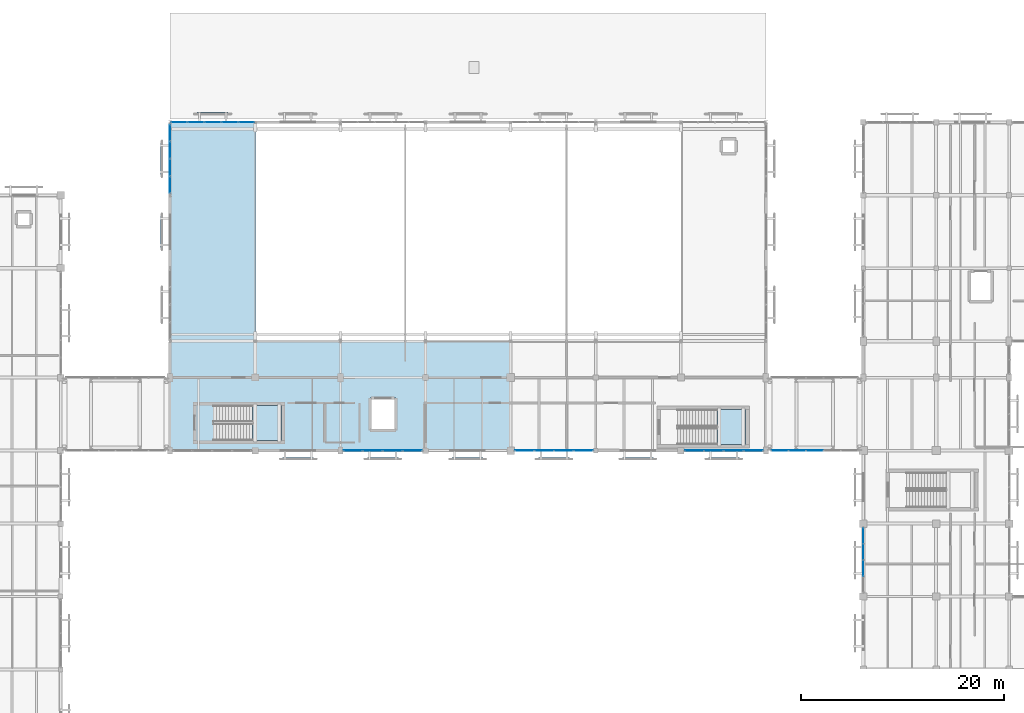
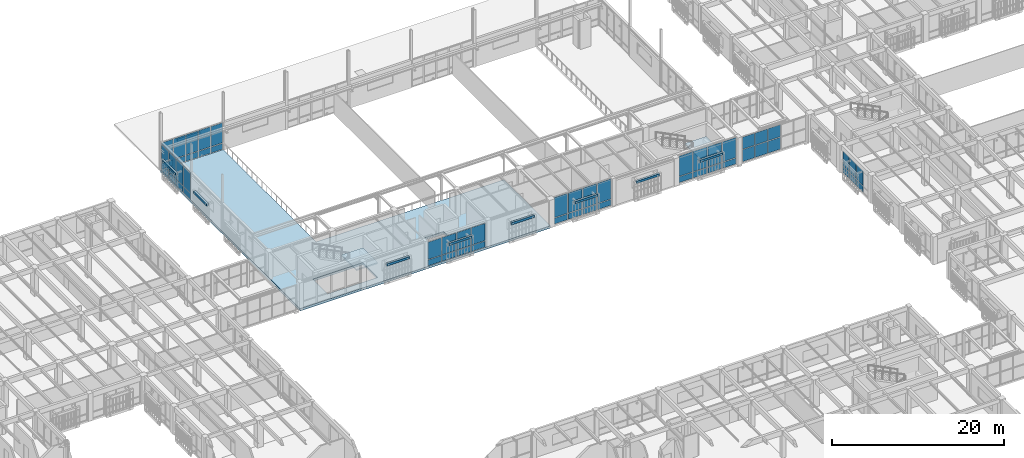
# One storey, part 122 of 170: 63 plates, 3 slabs, 9 elements without a shape of their own.
"""IFC4 building model written with IfcOpenShell, lengths in metres."""

from ifc_helpers import new_model, si_unit, direction, frame, origin, origin_2d, place, context, subcontext, project, spatial, polyline, rectangle, outline, extrude, material, layer, layer_set, type_object, element, aggregate, save


model = new_model("IFC4")

# Units and contexts
model_context = context("Model", 3, precision=1e-05, world=origin(), true_north=direction((0.0, 1.0)))
body_context = subcontext(model_context, "Body", "Model", "MODEL_VIEW")
ifc_project = project(units=[si_unit("LENGTHUNIT", "METRE"), si_unit("AREAUNIT", "SQUARE_METRE"), si_unit("VOLUMEUNIT", "CUBIC_METRE"), si_unit("PLANEANGLEUNIT", "RADIAN"), si_unit("MASSUNIT", "GRAM", prefix="KILO")], contexts=[model_context])

# Site, building, storey
site_placement = place(None, origin())
site = spatial("IfcSite", under=ifc_project, at=site_placement, CompositionType="ELEMENT")
building_placement = place(site_placement, origin())
building = spatial("IfcBuilding", under=site, at=building_placement, Name="Mazaris Harbour Polytechnic", CompositionType="ELEMENT")
storey_placement = place(building_placement, frame((0.0, 0.0, 5.39990234375)))
storey = spatial("IfcBuildingStorey", under=building, at=storey_placement, Name="L01", CompositionType="ELEMENT", Elevation=5.39990234375)

# Curtain wall, plates
ifc_material_1 = material(Name="Anodised Bronze Aluminium and Low-E Glass", Category="aluminium")
ifc_layer_1 = layer(ifc_material_1, 0.14990234375, Name="Anodised Bronze Aluminium and Low-E Glass")
ifc_layer_set_1 = layer_set([ifc_layer_1], Name="Anodised Bronze Aluminium and Low-E Glass")
curtain_wall_type_1 = type_object("IfcCurtainWallType", Name="Workshop Clerestory Curtain Wall", PredefinedType="NOTDEFINED", material=ifc_layer_set_1)
curtain_wall_1_placement = place(storey_placement, origin())
curtain_wall_1 = element("IfcCurtainWall", 1, at=curtain_wall_1_placement, inside=storey, type_object=curtain_wall_type_1, Name="V1 L01 Curtain Wall 14", PredefinedType="NOTDEFINED")
ifc_material_2 = material(Name="Acoustic Low-E Double Glazing", Category="glass")
ifc_layer_2 = layer(ifc_material_2, 0.033935546875, Name="Acoustic Low-E Double Glazing")
ifc_layer_set_2 = layer_set([ifc_layer_2], Name="Acoustic Low-E Double Glazing")
plate_type_1 = type_object("IfcPlateType", Name="Acoustic Laminated Glass Panel 34", PredefinedType="CURTAIN_PANEL", material=ifc_layer_set_2)
plate_1_placement = place(storey_placement, frame((77.921630859375, 75.60009765625, 0.080078125), z_axis=(0.0, 0.0, 1.0), x_axis=(-1.0, 0.0, 0.0)))
plate_1 = element("IfcPlate", 2, at=plate_1_placement, type_object=plate_type_1, Name="CW-04 panel 1.1", PredefinedType="CURTAIN_PANEL", context=body_context, shape_type="SweptSolid", body=[
    extrude(rectangle(XDim=1.82275390625, YDim=0.033935546875, at=origin_2d()), origin(), (0.0, 0.0, 1.0), 0.830078125),
])
plate_2_placement = place(storey_placement, frame((77.921630859375, 75.60009765625, 0.990234375), z_axis=(0.0, 0.0, 1.0), x_axis=(-1.0, 0.0, 0.0)))
plate_2 = element("IfcPlate", 3, at=plate_2_placement, type_object=plate_type_1, Name="CW-04 panel 1.2", PredefinedType="CURTAIN_PANEL", context=body_context, shape_type="SweptSolid", body=[
    extrude(rectangle(XDim=1.82275390625, YDim=0.033935546875, at=origin_2d()), origin(), (0.0, 0.0, 1.0), 2.449951171875),
])
plate_3_placement = place(storey_placement, frame((75.973876953125, 75.60009765625, 0.080078125), z_axis=(0.0, 0.0, 1.0), x_axis=(-1.0, 0.0, 0.0)))
plate_3 = element("IfcPlate", 4, at=plate_3_placement, type_object=plate_type_1, Name="CW-04 panel 2.1", PredefinedType="CURTAIN_PANEL", context=body_context, shape_type="SweptSolid", body=[
    extrude(rectangle(XDim=1.872802734375, YDim=0.033935546875, at=origin_2d()), origin(), (0.0, 0.0, 1.0), 0.830078125),
])
plate_4_placement = place(storey_placement, frame((75.973876953125, 75.60009765625, 0.990234375), z_axis=(0.0, 0.0, 1.0), x_axis=(-1.0, 0.0, 0.0)))
plate_4 = element("IfcPlate", 5, at=plate_4_placement, type_object=plate_type_1, Name="CW-04 panel 2.2", PredefinedType="CURTAIN_PANEL", context=body_context, shape_type="SweptSolid", body=[
    extrude(rectangle(XDim=1.872802734375, YDim=0.033935546875, at=origin_2d()), origin(), (0.0, 0.0, 1.0), 2.449951171875),
])
plate_5_placement = place(storey_placement, frame((74.001220703125, 75.60009765625, 0.080078125), z_axis=(0.0, 0.0, 1.0), x_axis=(-1.0, 0.0, 0.0)))
plate_5 = element("IfcPlate", 6, at=plate_5_placement, type_object=plate_type_1, Name="CW-04 panel 3.1", PredefinedType="CURTAIN_PANEL", context=body_context, shape_type="SweptSolid", body=[
    extrude(rectangle(XDim=1.872802734375, YDim=0.033935546875, at=origin_2d()), origin(), (0.0, 0.0, 1.0), 0.830078125),
])
plate_6_placement = place(storey_placement, frame((74.001220703125, 75.60009765625, 0.990234375), z_axis=(0.0, 0.0, 1.0), x_axis=(-1.0, 0.0, 0.0)))
plate_6 = element("IfcPlate", 7, at=plate_6_placement, type_object=plate_type_1, Name="CW-04 panel 3.2", PredefinedType="CURTAIN_PANEL", context=body_context, shape_type="SweptSolid", body=[
    extrude(rectangle(XDim=1.872802734375, YDim=0.033935546875, at=origin_2d()), origin(), (0.0, 0.0, 1.0), 2.449951171875),
])
plate_7_placement = place(storey_placement, frame((72.053466796875, 75.60009765625, 0.080078125), z_axis=(0.0, 0.0, 1.0), x_axis=(-1.0, 0.0, 0.0)))
plate_7 = element("IfcPlate", 8, at=plate_7_placement, type_object=plate_type_1, Name="CW-04 panel 4.1", PredefinedType="CURTAIN_PANEL", context=body_context, shape_type="SweptSolid", body=[
    extrude(rectangle(XDim=1.82275390625, YDim=0.033935546875, at=origin_2d()), origin(), (0.0, 0.0, 1.0), 0.830078125),
])
plate_8_placement = place(storey_placement, frame((72.053466796875, 75.60009765625, 0.990234375), z_axis=(0.0, 0.0, 1.0), x_axis=(-1.0, 0.0, 0.0)))
plate_8 = element("IfcPlate", 9, at=plate_8_placement, type_object=plate_type_1, Name="CW-04 panel 4.2", PredefinedType="CURTAIN_PANEL", context=body_context, shape_type="SweptSolid", body=[
    extrude(rectangle(XDim=1.82275390625, YDim=0.033935546875, at=origin_2d()), origin(), (0.0, 0.0, 1.0), 2.449951171875),
])
aggregate(curtain_wall_1, [plate_1, plate_2, plate_3, plate_4, plate_5, plate_6, plate_7, plate_8])

curtain_wall_2_placement = place(storey_placement, origin())
curtain_wall_2 = element("IfcCurtainWall", 10, at=curtain_wall_2_placement, inside=storey, type_object=curtain_wall_type_1, Name="V1 L01 Curtain Wall 15", PredefinedType="NOTDEFINED")
plate_9_placement = place(storey_placement, frame((94.781005859375, 75.60009765625, 0.080078125), z_axis=(0.0, 0.0, 1.0), x_axis=(-1.0, 0.0, 0.0)))
plate_9 = element("IfcPlate", 11, at=plate_9_placement, type_object=plate_type_1, Name="CW-04 panel 1.1", PredefinedType="CURTAIN_PANEL", context=body_context, shape_type="SweptSolid", body=[
    extrude(rectangle(XDim=1.803955078125, YDim=0.033935546875, at=origin_2d()), origin(), (0.0, 0.0, 1.0), 0.830078125),
])
plate_10_placement = place(storey_placement, frame((94.781005859375, 75.60009765625, 0.989990234375), z_axis=(0.0, 0.0, 1.0), x_axis=(-1.0, 0.0, 0.0)))
plate_10 = element("IfcPlate", 12, at=plate_10_placement, type_object=plate_type_1, Name="CW-04 panel 1.2", PredefinedType="CURTAIN_PANEL", context=body_context, shape_type="SweptSolid", body=[
    extrude(rectangle(XDim=1.803955078125, YDim=0.033935546875, at=origin_2d()), origin(), (0.0, 0.0, 1.0), 2.85009765625),
])
plate_11_placement = place(storey_placement, frame((92.85205078125, 75.60009765625, 0.080078125), z_axis=(0.0, 0.0, 1.0), x_axis=(-1.0, 0.0, 0.0)))
plate_11 = element("IfcPlate", 13, at=plate_11_placement, type_object=plate_type_1, Name="CW-04 panel 2.1", PredefinedType="CURTAIN_PANEL", context=body_context, shape_type="SweptSolid", body=[
    extrude(rectangle(XDim=1.85400390625, YDim=0.033935546875, at=origin_2d()), origin(), (0.0, 0.0, 1.0), 0.830078125),
])
plate_12_placement = place(storey_placement, frame((92.85205078125, 75.60009765625, 0.989990234375), z_axis=(0.0, 0.0, 1.0), x_axis=(-1.0, 0.0, 0.0)))
plate_12 = element("IfcPlate", 14, at=plate_12_placement, type_object=plate_type_1, Name="CW-04 panel 2.2", PredefinedType="CURTAIN_PANEL", context=body_context, shape_type="SweptSolid", body=[
    extrude(rectangle(XDim=1.85400390625, YDim=0.033935546875, at=origin_2d()), origin(), (0.0, 0.0, 1.0), 2.85009765625),
])
plate_13_placement = place(storey_placement, frame((90.89794921875, 75.60009765625, 0.080078125), z_axis=(0.0, 0.0, 1.0), x_axis=(-1.0, 0.0, 0.0)))
plate_13 = element("IfcPlate", 15, at=plate_13_placement, type_object=plate_type_1, Name="CW-04 panel 3.1", PredefinedType="CURTAIN_PANEL", context=body_context, shape_type="SweptSolid", body=[
    extrude(rectangle(XDim=1.85400390625, YDim=0.033935546875, at=origin_2d()), origin(), (0.0, 0.0, 1.0), 0.830078125),
])
plate_14_placement = place(storey_placement, frame((90.89794921875, 75.60009765625, 0.989990234375), z_axis=(0.0, 0.0, 1.0), x_axis=(-1.0, 0.0, 0.0)))
plate_14 = element("IfcPlate", 16, at=plate_14_placement, type_object=plate_type_1, Name="CW-04 panel 3.2", PredefinedType="CURTAIN_PANEL", context=body_context, shape_type="SweptSolid", body=[
    extrude(rectangle(XDim=1.85400390625, YDim=0.033935546875, at=origin_2d()), origin(), (0.0, 0.0, 1.0), 2.85009765625),
])
plate_15_placement = place(storey_placement, frame((88.968994140625, 75.60009765625, 0.080078125), z_axis=(0.0, 0.0, 1.0), x_axis=(-1.0, 0.0, 0.0)))
plate_15 = element("IfcPlate", 17, at=plate_15_placement, type_object=plate_type_1, Name="CW-04 panel 4.1", PredefinedType="CURTAIN_PANEL", context=body_context, shape_type="SweptSolid", body=[
    extrude(rectangle(XDim=1.803955078125, YDim=0.033935546875, at=origin_2d()), origin(), (0.0, 0.0, 1.0), 0.830078125),
])
plate_16_placement = place(storey_placement, frame((88.968994140625, 75.60009765625, 0.989990234375), z_axis=(0.0, 0.0, 1.0), x_axis=(-1.0, 0.0, 0.0)))
plate_16 = element("IfcPlate", 18, at=plate_16_placement, type_object=plate_type_1, Name="CW-04 panel 4.2", PredefinedType="CURTAIN_PANEL", context=body_context, shape_type="SweptSolid", body=[
    extrude(rectangle(XDim=1.803955078125, YDim=0.033935546875, at=origin_2d()), origin(), (0.0, 0.0, 1.0), 2.85009765625),
])
aggregate(curtain_wall_2, [plate_9, plate_10, plate_11, plate_12, plate_13, plate_14, plate_15, plate_16])

curtain_wall_3_placement = place(storey_placement, origin())
curtain_wall_3 = element("IfcCurtainWall", 19, at=curtain_wall_3_placement, inside=storey, type_object=curtain_wall_type_1, Name="V1 L01 Curtain Wall 16", PredefinedType="NOTDEFINED")
plate_17_placement = place(storey_placement, frame((111.552978515625, 75.60009765625, 0.080078125), z_axis=(0.0, 0.0, 1.0), x_axis=(-1.0, 0.0, 0.0)))
plate_17 = element("IfcPlate", 20, at=plate_17_placement, type_object=plate_type_1, Name="CW-04 panel 1.1", PredefinedType="CURTAIN_PANEL", context=body_context, shape_type="SweptSolid", body=[
    extrude(rectangle(XDim=1.810302734375, YDim=0.033935546875, at=origin_2d()), origin(), (0.0, 0.0, 1.0), 0.830078125),
])
plate_18_placement = place(storey_placement, frame((111.552978515625, 75.60009765625, 0.989990234375), z_axis=(0.0, 0.0, 1.0), x_axis=(-1.0, 0.0, 0.0)))
plate_18 = element("IfcPlate", 21, at=plate_18_placement, type_object=plate_type_1, Name="CW-04 panel 1.2", PredefinedType="CURTAIN_PANEL", context=body_context, shape_type="SweptSolid", body=[
    extrude(rectangle(XDim=1.810302734375, YDim=0.033935546875, at=origin_2d()), origin(), (0.0, 0.0, 1.0), 2.85009765625),
])
plate_19_placement = place(storey_placement, frame((109.61767578125, 75.60009765625, 0.080078125), z_axis=(0.0, 0.0, 1.0), x_axis=(-1.0, 0.0, 0.0)))
plate_19 = element("IfcPlate", 22, at=plate_19_placement, type_object=plate_type_1, Name="CW-04 panel 2.1", PredefinedType="CURTAIN_PANEL", context=body_context, shape_type="SweptSolid", body=[
    extrude(rectangle(XDim=1.8603515625, YDim=0.033935546875, at=origin_2d()), origin(), (0.0, 0.0, 1.0), 0.830078125),
])
plate_20_placement = place(storey_placement, frame((109.61767578125, 75.60009765625, 0.989990234375), z_axis=(0.0, 0.0, 1.0), x_axis=(-1.0, 0.0, 0.0)))
plate_20 = element("IfcPlate", 23, at=plate_20_placement, type_object=plate_type_1, Name="CW-04 panel 2.2", PredefinedType="CURTAIN_PANEL", context=body_context, shape_type="SweptSolid", body=[
    extrude(rectangle(XDim=1.8603515625, YDim=0.033935546875, at=origin_2d()), origin(), (0.0, 0.0, 1.0), 2.85009765625),
])
plate_21_placement = place(storey_placement, frame((107.657470703125, 75.60009765625, 0.080078125), z_axis=(0.0, 0.0, 1.0), x_axis=(-1.0, 0.0, 0.0)))
plate_21 = element("IfcPlate", 24, at=plate_21_placement, type_object=plate_type_1, Name="CW-04 panel 3.1", PredefinedType="CURTAIN_PANEL", context=body_context, shape_type="SweptSolid", body=[
    extrude(rectangle(XDim=1.8603515625, YDim=0.033935546875, at=origin_2d()), origin(), (0.0, 0.0, 1.0), 0.830078125),
])
plate_22_placement = place(storey_placement, frame((107.657470703125, 75.60009765625, 0.989990234375), z_axis=(0.0, 0.0, 1.0), x_axis=(-1.0, 0.0, 0.0)))
plate_22 = element("IfcPlate", 25, at=plate_22_placement, type_object=plate_type_1, Name="CW-04 panel 3.2", PredefinedType="CURTAIN_PANEL", context=body_context, shape_type="SweptSolid", body=[
    extrude(rectangle(XDim=1.8603515625, YDim=0.033935546875, at=origin_2d()), origin(), (0.0, 0.0, 1.0), 2.85009765625),
])
plate_23_placement = place(storey_placement, frame((105.72216796875, 75.60009765625, 0.080078125), z_axis=(0.0, 0.0, 1.0), x_axis=(-1.0, 0.0, 0.0)))
plate_23 = element("IfcPlate", 26, at=plate_23_placement, type_object=plate_type_1, Name="CW-04 panel 4.1", PredefinedType="CURTAIN_PANEL", context=body_context, shape_type="SweptSolid", body=[
    extrude(rectangle(XDim=1.810302734375, YDim=0.033935546875, at=origin_2d()), origin(), (0.0, 0.0, 1.0), 0.830078125),
])
plate_24_placement = place(storey_placement, frame((105.72216796875, 75.60009765625, 0.989990234375), z_axis=(0.0, 0.0, 1.0), x_axis=(-1.0, 0.0, 0.0)))
plate_24 = element("IfcPlate", 27, at=plate_24_placement, type_object=plate_type_1, Name="CW-04 panel 4.2", PredefinedType="CURTAIN_PANEL", context=body_context, shape_type="SweptSolid", body=[
    extrude(rectangle(XDim=1.810302734375, YDim=0.033935546875, at=origin_2d()), origin(), (0.0, 0.0, 1.0), 2.85009765625),
])
aggregate(curtain_wall_3, [plate_17, plate_18, plate_19, plate_20, plate_21, plate_22, plate_23, plate_24])

curtain_wall_4_placement = place(storey_placement, origin())
curtain_wall_4 = element("IfcCurtainWall", 28, at=curtain_wall_4_placement, inside=storey, type_object=curtain_wall_type_1, Name="V1 L01 Curtain Wall 17", PredefinedType="NOTDEFINED")
plate_25_placement = place(storey_placement, frame((54.871337890625, 108.0, 0.080078125), z_axis=(0.0, 0.0, 1.0), x_axis=(1.0, 0.0, 0.0)))
plate_25 = element("IfcPlate", 29, at=plate_25_placement, type_object=plate_type_1, Name="CW-04 panel 1.1", PredefinedType="CURTAIN_PANEL", context=body_context, shape_type="SweptSolid", body=[
    extrude(rectangle(XDim=1.52685546875, YDim=0.033935546875, at=origin_2d()), origin(), (0.0, 0.0, 1.0), 0.830078125),
])
plate_26_placement = place(storey_placement, frame((54.871337890625, 108.0, 0.989990234375), z_axis=(0.0, 0.0, 1.0), x_axis=(1.0, 0.0, 0.0)))
plate_26 = element("IfcPlate", 30, at=plate_26_placement, type_object=plate_type_1, Name="CW-04 panel 1.2", PredefinedType="CURTAIN_PANEL", context=body_context, shape_type="SweptSolid", body=[
    extrude(rectangle(XDim=1.52685546875, YDim=0.033935546875, at=origin_2d()), origin(), (0.0, 0.0, 1.0), 2.85009765625),
])
plate_27_placement = place(storey_placement, frame((56.523193359375, 108.0, 0.080078125), z_axis=(0.0, 0.0, 1.0), x_axis=(1.0, 0.0, 0.0)))
plate_27 = element("IfcPlate", 31, at=plate_27_placement, type_object=plate_type_1, Name="CW-04 panel 2.1", PredefinedType="CURTAIN_PANEL", context=body_context, shape_type="SweptSolid", body=[
    extrude(rectangle(XDim=1.576904296875, YDim=0.033935546875, at=origin_2d()), origin(), (0.0, 0.0, 1.0), 0.830078125),
])
plate_28_placement = place(storey_placement, frame((56.523193359375, 108.0, 0.989990234375), z_axis=(0.0, 0.0, 1.0), x_axis=(1.0, 0.0, 0.0)))
plate_28 = element("IfcPlate", 32, at=plate_28_placement, type_object=plate_type_1, Name="CW-04 panel 2.2", PredefinedType="CURTAIN_PANEL", context=body_context, shape_type="SweptSolid", body=[
    extrude(rectangle(XDim=1.576904296875, YDim=0.033935546875, at=origin_2d()), origin(), (0.0, 0.0, 1.0), 2.85009765625),
])
plate_29_placement = place(storey_placement, frame((58.199951171875, 108.0, 0.080078125), z_axis=(0.0, 0.0, 1.0), x_axis=(1.0, 0.0, 0.0)))
plate_29 = element("IfcPlate", 33, at=plate_29_placement, type_object=plate_type_1, Name="CW-04 panel 3.1", PredefinedType="CURTAIN_PANEL", context=body_context, shape_type="SweptSolid", body=[
    extrude(rectangle(XDim=1.576904296875, YDim=0.033935546875, at=origin_2d()), origin(), (0.0, 0.0, 1.0), 0.830078125),
])
plate_30_placement = place(storey_placement, frame((58.199951171875, 108.0, 0.989990234375), z_axis=(0.0, 0.0, 1.0), x_axis=(1.0, 0.0, 0.0)))
plate_30 = element("IfcPlate", 34, at=plate_30_placement, type_object=plate_type_1, Name="CW-04 panel 3.2", PredefinedType="CURTAIN_PANEL", context=body_context, shape_type="SweptSolid", body=[
    extrude(rectangle(XDim=1.576904296875, YDim=0.033935546875, at=origin_2d()), origin(), (0.0, 0.0, 1.0), 2.85009765625),
])
plate_31_placement = place(storey_placement, frame((59.876708984375, 108.0, 0.080078125), z_axis=(0.0, 0.0, 1.0), x_axis=(1.0, 0.0, 0.0)))
plate_31 = element("IfcPlate", 35, at=plate_31_placement, type_object=plate_type_1, Name="CW-04 panel 4.1", PredefinedType="CURTAIN_PANEL", context=body_context, shape_type="SweptSolid", body=[
    extrude(rectangle(XDim=1.576904296875, YDim=0.033935546875, at=origin_2d()), origin(), (0.0, 0.0, 1.0), 0.830078125),
])
plate_32_placement = place(storey_placement, frame((59.876708984375, 108.0, 0.989990234375), z_axis=(0.0, 0.0, 1.0), x_axis=(1.0, 0.0, 0.0)))
plate_32 = element("IfcPlate", 36, at=plate_32_placement, type_object=plate_type_1, Name="CW-04 panel 4.2", PredefinedType="CURTAIN_PANEL", context=body_context, shape_type="SweptSolid", body=[
    extrude(rectangle(XDim=1.576904296875, YDim=0.033935546875, at=origin_2d()), origin(), (0.0, 0.0, 1.0), 2.85009765625),
])
plate_33_placement = place(storey_placement, frame((61.528564453125, 108.0, 0.080078125), z_axis=(0.0, 0.0, 1.0), x_axis=(1.0, 0.0, 0.0)))
plate_33 = element("IfcPlate", 37, at=plate_33_placement, type_object=plate_type_1, Name="CW-04 panel 5.1", PredefinedType="CURTAIN_PANEL", context=body_context, shape_type="SweptSolid", body=[
    extrude(rectangle(XDim=1.52685546875, YDim=0.033935546875, at=origin_2d()), origin(), (0.0, 0.0, 1.0), 0.830078125),
])
plate_34_placement = place(storey_placement, frame((61.528564453125, 108.0, 0.989990234375), z_axis=(0.0, 0.0, 1.0), x_axis=(1.0, 0.0, 0.0)))
plate_34 = element("IfcPlate", 38, at=plate_34_placement, type_object=plate_type_1, Name="CW-04 panel 5.2", PredefinedType="CURTAIN_PANEL", context=body_context, shape_type="SweptSolid", body=[
    extrude(rectangle(XDim=1.52685546875, YDim=0.033935546875, at=origin_2d()), origin(), (0.0, 0.0, 1.0), 2.85009765625),
])
aggregate(curtain_wall_4, [plate_25, plate_26, plate_27, plate_28, plate_29, plate_30, plate_31, plate_32, plate_33, plate_34])

curtain_wall_5_placement = place(storey_placement, origin())
curtain_wall_5 = element("IfcCurtainWall", 39, at=curtain_wall_5_placement, inside=storey, type_object=curtain_wall_type_1, Name="V1 L01 Curtain Wall 22", PredefinedType="NOTDEFINED")
plate_35_placement = place(storey_placement, frame((54.0, 101.8251953125, 0.080078125), z_axis=(0.0, 0.0, 1.0), x_axis=(0.0, 1.0, 0.0)))
plate_35 = element("IfcPlate", 40, at=plate_35_placement, type_object=plate_type_1, Name="CW-04 panel 1.1", PredefinedType="CURTAIN_PANEL", context=body_context, shape_type="SweptSolid", body=[
    extrude(rectangle(XDim=1.576416015625, YDim=0.033935546875, at=origin_2d()), origin(), (0.0, 0.0, 1.0), 0.830078125),
])
plate_36_placement = place(storey_placement, frame((54.0, 101.8251953125, 0.989990234375), z_axis=(0.0, 0.0, 1.0), x_axis=(0.0, 1.0, 0.0)))
plate_36 = element("IfcPlate", 41, at=plate_36_placement, type_object=plate_type_1, Name="CW-04 panel 1.2", PredefinedType="CURTAIN_PANEL", context=body_context, shape_type="SweptSolid", body=[
    extrude(rectangle(XDim=1.576416015625, YDim=0.033935546875, at=origin_2d()), origin(), (0.0, 0.0, 1.0), 2.85009765625),
])
plate_37_placement = place(storey_placement, frame((54.0, 103.52685546875, 0.080078125), z_axis=(0.0, 0.0, 1.0), x_axis=(0.0, 1.0, 0.0)))
plate_37 = element("IfcPlate", 42, at=plate_37_placement, type_object=plate_type_1, Name="CW-04 panel 2.1", PredefinedType="CURTAIN_PANEL", context=body_context, shape_type="SweptSolid", body=[
    extrude(rectangle(XDim=1.62646484375, YDim=0.033935546875, at=origin_2d()), origin(), (0.0, 0.0, 1.0), 0.830078125),
])
plate_38_placement = place(storey_placement, frame((54.0, 103.52685546875, 0.989990234375), z_axis=(0.0, 0.0, 1.0), x_axis=(0.0, 1.0, 0.0)))
plate_38 = element("IfcPlate", 43, at=plate_38_placement, type_object=plate_type_1, Name="CW-04 panel 2.2", PredefinedType="CURTAIN_PANEL", context=body_context, shape_type="SweptSolid", body=[
    extrude(rectangle(XDim=1.62646484375, YDim=0.033935546875, at=origin_2d()), origin(), (0.0, 0.0, 1.0), 2.85009765625),
])
plate_39_placement = place(storey_placement, frame((54.0, 105.253173828125, 0.080078125), z_axis=(0.0, 0.0, 1.0), x_axis=(0.0, 1.0, 0.0)))
plate_39 = element("IfcPlate", 44, at=plate_39_placement, type_object=plate_type_1, Name="CW-04 panel 3.1", PredefinedType="CURTAIN_PANEL", context=body_context, shape_type="SweptSolid", body=[
    extrude(rectangle(XDim=1.62646484375, YDim=0.033935546875, at=origin_2d()), origin(), (0.0, 0.0, 1.0), 0.830078125),
])
plate_40_placement = place(storey_placement, frame((54.0, 105.253173828125, 0.989990234375), z_axis=(0.0, 0.0, 1.0), x_axis=(0.0, 1.0, 0.0)))
plate_40 = element("IfcPlate", 45, at=plate_40_placement, type_object=plate_type_1, Name="CW-04 panel 3.2", PredefinedType="CURTAIN_PANEL", context=body_context, shape_type="SweptSolid", body=[
    extrude(rectangle(XDim=1.62646484375, YDim=0.033935546875, at=origin_2d()), origin(), (0.0, 0.0, 1.0), 2.85009765625),
])
plate_41_placement = place(storey_placement, frame((54.0, 106.954833984375, 0.080078125), z_axis=(0.0, 0.0, 1.0), x_axis=(0.0, 1.0, 0.0)))
plate_41 = element("IfcPlate", 46, at=plate_41_placement, type_object=plate_type_1, Name="CW-04 panel 4.1", PredefinedType="CURTAIN_PANEL", context=body_context, shape_type="SweptSolid", body=[
    extrude(rectangle(XDim=1.576416015625, YDim=0.033935546875, at=origin_2d()), origin(), (0.0, 0.0, 1.0), 0.830078125),
])
plate_42_placement = place(storey_placement, frame((54.0, 106.954833984375, 0.989990234375), z_axis=(0.0, 0.0, 1.0), x_axis=(0.0, 1.0, 0.0)))
plate_42 = element("IfcPlate", 47, at=plate_42_placement, type_object=plate_type_1, Name="CW-04 panel 4.2", PredefinedType="CURTAIN_PANEL", context=body_context, shape_type="SweptSolid", body=[
    extrude(rectangle(XDim=1.576416015625, YDim=0.033935546875, at=origin_2d()), origin(), (0.0, 0.0, 1.0), 2.85009765625),
])
aggregate(curtain_wall_5, [plate_35, plate_36, plate_37, plate_38, plate_39, plate_40, plate_41, plate_42])

ifc_material_3 = material(Name="Anodised Bronze Aluminium and Low-E Glass", Category="aluminium")
ifc_layer_3 = layer(ifc_material_3, 0.139892578125, Name="Anodised Bronze Aluminium and Low-E Glass")
ifc_layer_set_3 = layer_set([ifc_layer_3], Name="Anodised Bronze Aluminium and Low-E Glass")
curtain_wall_type_2 = type_object("IfcCurtainWallType", Name="Seismic Link Bridge Glazing", PredefinedType="NOTDEFINED", material=ifc_layer_set_3)
curtain_wall_6_placement = place(storey_placement, origin())
curtain_wall_6 = element("IfcCurtainWall", 48, at=curtain_wall_6_placement, inside=storey, type_object=curtain_wall_type_2, Name="PB-E2 L01 Bridge Glazing", PredefinedType="NOTDEFINED")
ifc_material_4 = material(Name="Low-E Double Glazing", Category="glass")
ifc_layer_4 = layer(ifc_material_4, 0.028076171875, Name="Low-E Double Glazing")
ifc_layer_set_4 = layer_set([ifc_layer_4], Name="Low-E Double Glazing")
plate_type_2 = type_object("IfcPlateType", Name="Low-E Vision Glass Panel 28", PredefinedType="CURTAIN_PANEL", material=ifc_layer_set_4)
plate_43_placement = place(storey_placement, frame((114.1640625, 75.60009765625, 0.080078125), z_axis=(0.0, 0.0, 1.0), x_axis=(1.0, 0.0, 0.0)))
plate_43 = element("IfcPlate", 49, at=plate_43_placement, type_object=plate_type_2, Name="CW-05 panel 1.1", PredefinedType="CURTAIN_PANEL", context=body_context, shape_type="SweptSolid", body=[
    extrude(rectangle(XDim=1.60791015625, YDim=0.028076171875, at=origin_2d()), origin(), (0.0, 0.0, 1.0), 1.697509765625),
])
plate_44_placement = place(storey_placement, frame((114.1640625, 75.60009765625, 1.857421875), z_axis=(0.0, 0.0, 1.0), x_axis=(1.0, 0.0, 0.0)))
plate_44 = element("IfcPlate", 50, at=plate_44_placement, type_object=plate_type_2, Name="CW-05 panel 1.2", PredefinedType="CURTAIN_PANEL", context=body_context, shape_type="SweptSolid", body=[
    extrude(rectangle(XDim=1.60791015625, YDim=0.028076171875, at=origin_2d()), origin(), (0.0, 0.0, 1.0), 1.697509765625),
])
plate_45_placement = place(storey_placement, frame((115.8720703125, 75.60009765625, 0.080078125), z_axis=(0.0, 0.0, 1.0), x_axis=(1.0, 0.0, 0.0)))
plate_45 = element("IfcPlate", 51, at=plate_45_placement, type_object=plate_type_2, Name="CW-05 panel 2.1", PredefinedType="CURTAIN_PANEL", context=body_context, shape_type="SweptSolid", body=[
    extrude(rectangle(XDim=1.64794921875, YDim=0.028076171875, at=origin_2d()), origin(), (0.0, 0.0, 1.0), 1.697509765625),
])
plate_46_placement = place(storey_placement, frame((115.8720703125, 75.60009765625, 1.857421875), z_axis=(0.0, 0.0, 1.0), x_axis=(1.0, 0.0, 0.0)))
plate_46 = element("IfcPlate", 52, at=plate_46_placement, type_object=plate_type_2, Name="CW-05 panel 2.2", PredefinedType="CURTAIN_PANEL", context=body_context, shape_type="SweptSolid", body=[
    extrude(rectangle(XDim=1.64794921875, YDim=0.028076171875, at=origin_2d()), origin(), (0.0, 0.0, 1.0), 1.697509765625),
])
plate_47_placement = place(storey_placement, frame((117.60009765625, 75.60009765625, 0.080078125), z_axis=(0.0, 0.0, 1.0), x_axis=(1.0, 0.0, 0.0)))
plate_47 = element("IfcPlate", 53, at=plate_47_placement, type_object=plate_type_2, Name="CW-05 panel 3.1", PredefinedType="CURTAIN_PANEL", context=body_context, shape_type="SweptSolid", body=[
    extrude(rectangle(XDim=1.64794921875, YDim=0.028076171875, at=origin_2d()), origin(), (0.0, 0.0, 1.0), 1.697509765625),
])
plate_48_placement = place(storey_placement, frame((117.60009765625, 75.60009765625, 1.857421875), z_axis=(0.0, 0.0, 1.0), x_axis=(1.0, 0.0, 0.0)))
plate_48 = element("IfcPlate", 54, at=plate_48_placement, type_object=plate_type_2, Name="CW-05 panel 3.2", PredefinedType="CURTAIN_PANEL", context=body_context, shape_type="SweptSolid", body=[
    extrude(rectangle(XDim=1.64794921875, YDim=0.028076171875, at=origin_2d()), origin(), (0.0, 0.0, 1.0), 1.697509765625),
])
aggregate(curtain_wall_6, [plate_43, plate_44, plate_45, plate_46, plate_47, plate_48])

# Plates
ifc_material_5 = material(Name="Perforated Earth-Coloured Terracotta Block", Category="masonry")
ifc_layer_5 = layer(ifc_material_5, 0.25, Name="Perforated Earth-Coloured Terracotta Block")
ifc_layer_set_5 = layer_set([ifc_layer_5], Name="Perforated Earth-Coloured Terracotta Block")
plate_type_3 = type_object("IfcPlateType", Name="Perforated Terracotta Screen 3060x250x320", PredefinedType="USERDEFINED", material=ifc_layer_set_5)
for number, where, z_axis, x_axis, name in (
    (55, (66.637451171875, 74.780029296875, 2.7099609375), (0.0, 0.0, 1.0), (-1.0, 0.0, 0.0), "V1 L01 Terracotta Screen Crest Plaque 5"),
    (56, (74.987548828125, 74.780029296875, 2.7099609375), (0.0, 0.0, 1.0), (-1.0, 0.0, 0.0), "V1 L01 Terracotta Screen Crest Plaque 6"),
    (57, (83.35009765625, 74.780029296875, 2.7099609375), (0.0, 0.0, 1.0), (-1.0, 0.0, 0.0), "V1 L01 Terracotta Screen Crest Plaque 7"),
    (58, (91.875, 74.780029296875, 2.7099609375), (0.0, 0.0, 1.0), (-1.0, 0.0, 0.0), "V1 L01 Terracotta Screen Crest Plaque 8"),
    (59, (100.14990234375, 74.780029296875, 2.7099609375), (0.0, 0.0, 1.0), (-1.0, 0.0, 0.0), "V1 L01 Terracotta Screen Crest Plaque 9"),
    (60, (108.637451171875, 74.780029296875, 2.7099609375), (0.0, 0.0, 1.0), (-1.0, 0.0, 0.0), "V1 L01 Terracotta Screen Crest Plaque 10"),
    (61, (58.199951171875, 108.820068359375, 2.7099609375), (0.0, 0.0, 1.0), (1.0, 0.0, 0.0), "V1 L01 Terracotta Screen Crest Plaque 11"),
    (62, (53.179931640625, 97.18994140625, 2.7099609375), (0.0, 0.0, 1.0), (0.0, 1.0, 0.0), "V1 L01 Terracotta Screen Crest Plaque 19"),
    (63, (53.179931640625, 104.389892578125, 2.7099609375), (0.0, 0.0, 1.0), (0.0, 1.0, 0.0), "V1 L01 Terracotta Screen Crest Plaque 20"),
):
    element("IfcPlate", number, at=place(storey_placement, frame(where, z_axis=z_axis, x_axis=x_axis)), inside=storey, type_object=plate_type_3, Name=name, ObjectType="SOLAR SCREEN", PredefinedType="USERDEFINED", context=body_context, shape_type="SweptSolid", body=[
        extrude(rectangle(XDim=3.06005859375, YDim=0.25, at=origin_2d()), origin(), (0.0, 0.0, 1.0), 0.320068359375),
    ])

# Slab
ifc_material_6 = material(Name="Concrete C35/45", Category="concrete")
ifc_layer_6 = layer(ifc_material_6, 0.320068359375, Name="Concrete C35/45")
ifc_layer_set_6 = layer_set([ifc_layer_6], Name="Concrete C35/45")
slab_type_1 = type_object("IfcSlabType", Name="RC Podium Slab 320", PredefinedType="FLOOR", material=ifc_layer_set_6)
slab_1_placement = place(storey_placement, frame((0.0, 0.0, -0.31982421875)))
element("IfcSlab", 64, at=slab_1_placement, inside=storey, type_object=slab_type_1, Name="V1 L01 Floor Slab", PredefinedType="FLOOR", context=body_context, shape_type="SweptSolid", body=[
    extrude(outline(polyline([(54.0, 108.0), (62.39990234375, 108.0), (62.39990234375, 86.39990234375), (87.60009765625, 86.39990234375), (87.60009765625, 75.60009765625), (54.0, 75.60009765625), (54.0, 108.0)]), holes=[polyline([(58.27490234375, 80.050048828125), (58.27490234375, 76.60009765625), (65.0, 76.60009765625), (65.0, 80.050048828125), (58.27490234375, 80.050048828125)]), polyline([(76.300048828125, 77.60009765625), (76.300048828125, 80.800048828125), (73.699951171875, 80.800048828125), (73.699951171875, 77.60009765625), (76.300048828125, 77.60009765625)])]), origin(), (0.0, 0.0, 1.0), 0.31982421875),
])

# Stair, slab
ifc_material_7 = material(Name="Concrete C40/50", Category="concrete")
stair_type = type_object("IfcStairType", Name="Core Exit Stair H4200", PredefinedType="HALF_TURN_STAIR", material=ifc_material_7)
stair_1_placement = place(storey_placement, origin())
stair_1 = element("IfcStair", 65, at=stair_1_placement, inside=storey, type_object=stair_type, Name="L01 ST01", PredefinedType="HALF_TURN_STAIR")
ifc_material_8 = material(Name="Concrete C40/50", Category="concrete")
ifc_layer_7 = layer(ifc_material_8, 0.199951171875, Name="Concrete C40/50")
ifc_layer_set_7 = layer_set([ifc_layer_7], Name="Concrete C40/50")
slab_type_2 = type_object("IfcSlabType", Name="RC Stair Landing 200", PredefinedType="LANDING", material=ifc_layer_set_7)
slab_2_placement = place(storey_placement, frame((0.0, 0.0, 1.900146484375)))
slab_2 = element("IfcSlab", 66, at=slab_2_placement, type_object=slab_type_2, Name="ST01 landing 1", PredefinedType="LANDING", context=body_context, shape_type="SweptSolid", body=[
    extrude(outline(polyline([(62.14990234375, 76.60009765625), (65.0, 76.60009765625), (65.0, 80.050048828125), (62.14990234375, 80.050048828125), (62.14990234375, 76.60009765625)])), origin(), (0.0, 0.0, 1.0), 0.199951171875),
])
aggregate(stair_1, [slab_2])

stair_2_placement = place(storey_placement, origin())
stair_2 = element("IfcStair", 67, at=stair_2_placement, inside=storey, type_object=stair_type, Name="L01 ST02", PredefinedType="HALF_TURN_STAIR")
slab_3_placement = place(storey_placement, frame((0.0, 0.0, 1.900146484375)))
slab_3 = element("IfcSlab", 68, at=slab_3_placement, type_object=slab_type_2, Name="ST02 landing 1", PredefinedType="LANDING", context=body_context, shape_type="SweptSolid", body=[
    extrude(outline(polyline([(107.949951171875, 76.199951171875), (110.800048828125, 76.199951171875), (110.800048828125, 79.64990234375), (107.949951171875, 79.64990234375), (107.949951171875, 76.199951171875)])), origin(), (0.0, 0.0, 1.0), 0.199951171875),
])
aggregate(stair_2, [slab_3])

# Curtain wall, plates
ifc_material_9 = material(Name="Anodised Bronze Aluminium and Low-E Glass", Category="aluminium")
ifc_layer_8 = layer(ifc_material_9, 0.169921875, Name="Anodised Bronze Aluminium and Low-E Glass")
ifc_layer_set_8 = layer_set([ifc_layer_8], Name="Anodised Bronze Aluminium and Low-E Glass")
curtain_wall_type_3 = type_object("IfcCurtainWallType", Name="Studio North-Light Curtain Wall", PredefinedType="NOTDEFINED", material=ifc_layer_set_8)
curtain_wall_7_placement = place(storey_placement, origin())
curtain_wall_7 = element("IfcCurtainWall", 69, at=curtain_wall_7_placement, inside=storey, type_object=curtain_wall_type_3, Name="V5 L01 Curtain Wall 210", PredefinedType="NOTDEFINED")
ifc_material_10 = material(Name="Solar-Control Low-E Glazing", Category="glass")
ifc_layer_9 = layer(ifc_material_10, 0.031982421875, Name="Solar-Control Low-E Glazing")
ifc_layer_set_9 = layer_set([ifc_layer_9], Name="Solar-Control Low-E Glazing")
plate_type_4 = type_object("IfcPlateType", Name="Solar Control Studio Glass Panel 32", PredefinedType="CURTAIN_PANEL", material=ifc_layer_set_9)
plate_49_placement = place(storey_placement, frame((122.39990234375, 63.97607421875, 0.080078125), z_axis=(0.0, 0.0, 1.0), x_axis=(0.0, 1.0, 0.0)))
plate_49 = element("IfcPlate", 70, at=plate_49_placement, type_object=plate_type_4, Name="CW-03 panel 2.1", PredefinedType="CURTAIN_PANEL", context=body_context, shape_type="SweptSolid", body=[
    extrude(rectangle(XDim=1.542724609375, YDim=0.031982421875, at=origin_2d()), origin(), (0.0, 0.0, 1.0), 0.830078125),
])
plate_50_placement = place(storey_placement, frame((122.39990234375, 63.97607421875, 0.989990234375), z_axis=(0.0, 0.0, 1.0), x_axis=(0.0, 1.0, 0.0)))
plate_50 = element("IfcPlate", 71, at=plate_50_placement, type_object=plate_type_4, Name="CW-03 panel 2.2", PredefinedType="CURTAIN_PANEL", context=body_context, shape_type="SweptSolid", body=[
    extrude(rectangle(XDim=1.542724609375, YDim=0.031982421875, at=origin_2d()), origin(), (0.0, 0.0, 1.0), 2.10009765625),
])
plate_51_placement = place(storey_placement, frame((122.39990234375, 65.598876953125, 0.080078125), z_axis=(0.0, 0.0, 1.0), x_axis=(0.0, 1.0, 0.0)))
plate_51 = element("IfcPlate", 72, at=plate_51_placement, type_object=plate_type_4, Name="CW-03 panel 3.1", PredefinedType="CURTAIN_PANEL", context=body_context, shape_type="SweptSolid", body=[
    extrude(rectangle(XDim=1.542724609375, YDim=0.031982421875, at=origin_2d()), origin(), (0.0, 0.0, 1.0), 0.830078125),
])
plate_52_placement = place(storey_placement, frame((122.39990234375, 65.598876953125, 0.989990234375), z_axis=(0.0, 0.0, 1.0), x_axis=(0.0, 1.0, 0.0)))
plate_52 = element("IfcPlate", 73, at=plate_52_placement, type_object=plate_type_4, Name="CW-03 panel 3.2", PredefinedType="CURTAIN_PANEL", context=body_context, shape_type="SweptSolid", body=[
    extrude(rectangle(XDim=1.542724609375, YDim=0.031982421875, at=origin_2d()), origin(), (0.0, 0.0, 1.0), 2.10009765625),
])
plate_53_placement = place(storey_placement, frame((122.39990234375, 67.20166015625, 0.080078125), z_axis=(0.0, 0.0, 1.0), x_axis=(0.0, 1.0, 0.0)))
plate_53 = element("IfcPlate", 74, at=plate_53_placement, type_object=plate_type_4, Name="CW-03 panel 4.1", PredefinedType="CURTAIN_PANEL", context=body_context, shape_type="SweptSolid", body=[
    extrude(rectangle(XDim=1.502685546875, YDim=0.031982421875, at=origin_2d()), origin(), (0.0, 0.0, 1.0), 0.830078125),
])
plate_54_placement = place(storey_placement, frame((122.39990234375, 67.20166015625, 0.989990234375), z_axis=(0.0, 0.0, 1.0), x_axis=(0.0, 1.0, 0.0)))
plate_54 = element("IfcPlate", 75, at=plate_54_placement, type_object=plate_type_4, Name="CW-03 panel 4.2", PredefinedType="CURTAIN_PANEL", context=body_context, shape_type="SweptSolid", body=[
    extrude(rectangle(XDim=1.502685546875, YDim=0.031982421875, at=origin_2d()), origin(), (0.0, 0.0, 1.0), 2.10009765625),
])
aggregate(curtain_wall_7, [plate_49, plate_50, plate_51, plate_52, plate_53, plate_54])

save(model, "model.ifc")
